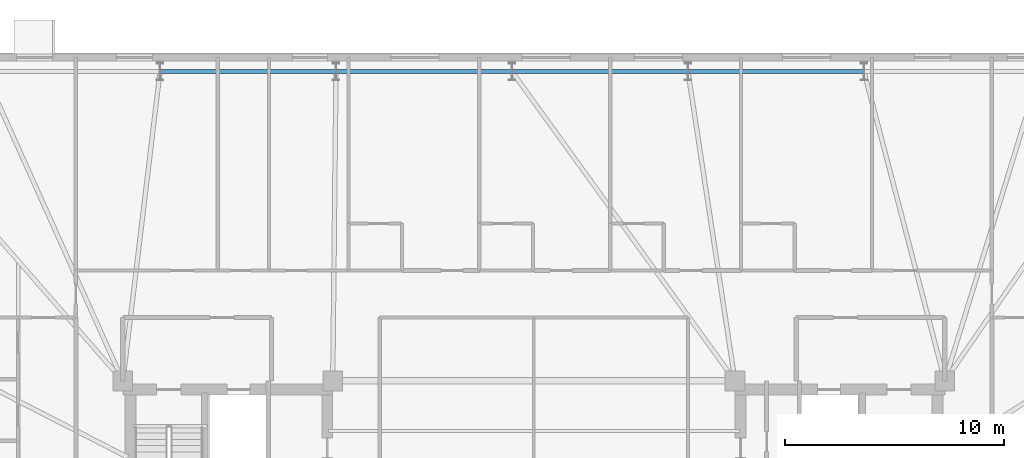
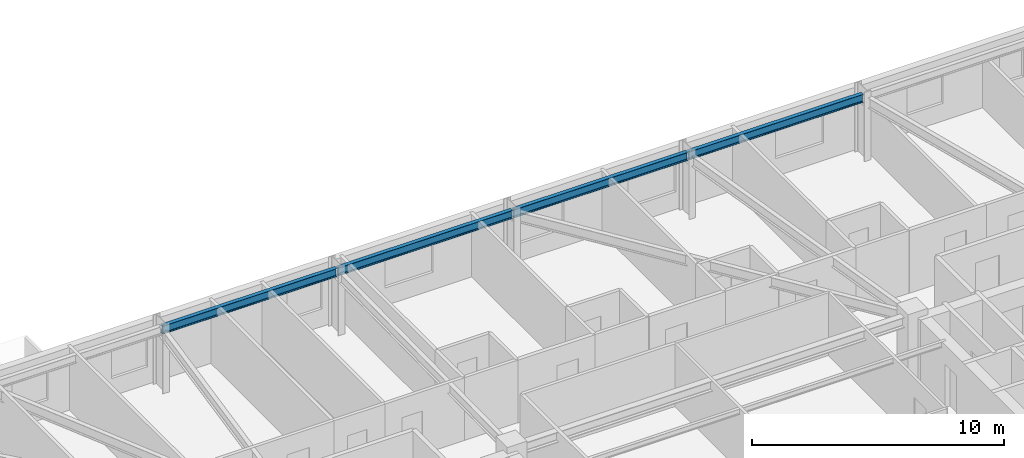
# One storey, part 8 of 18: 4 beams.
"""IFC4 building model written with IfcOpenShell, lengths in metres."""

from ifc_helpers import new_model, si_unit, direction, frame, origin, origin_2d, place, context, subcontext, project, spatial, i_section, extrude, material, material_profile, profile_set, type_object, element, save


model = new_model("IFC4")

# Units and contexts
model_context = context("Model", 3, precision=1e-05, world=origin(), true_north=direction((0.0, 1.0)))
body_context = subcontext(model_context, "Body", "Model", "MODEL_VIEW")
ifc_project = project(units=[si_unit("LENGTHUNIT", "METRE"), si_unit("AREAUNIT", "SQUARE_METRE"), si_unit("VOLUMEUNIT", "CUBIC_METRE"), si_unit("PLANEANGLEUNIT", "RADIAN"), si_unit("MASSUNIT", "GRAM", prefix="KILO")], contexts=[model_context])

# Site, building, storey
site_placement = place(None, origin())
site = spatial("IfcSite", under=ifc_project, at=site_placement, CompositionType="ELEMENT")
building_placement = place(site_placement, origin())
building = spatial("IfcBuilding", under=site, at=building_placement, Name="Qobustan Lattice House", CompositionType="ELEMENT")
storey_placement = place(building_placement, frame((0.0, 0.0, 141.050048828125)))
storey = spatial("IfcBuildingStorey", under=building, at=storey_placement, Name="L39", CompositionType="ELEMENT", Elevation=141.050048828125)

# Beams
ifc_material = material(Name="Steel S355", Category="steel")
ifc_material_profile = material_profile(ifc_material, i_section(OverallWidth=0.179931640625, OverallDepth=0.39990234375, WebThickness=0.008544921875, FlangeThickness=0.013427734375, FilletRadius=0.02099609375, at=origin_2d()), Name="IPE400")
ifc_profile_set = profile_set([ifc_material_profile], Name="Steel S355")
beam_type = type_object("IfcBeamType", Name="BM-SPD-IPE400", PredefinedType="SPANDREL", material=ifc_profile_set)
for number, where, z_axis, x_axis, name in (
    (1, (15.074951171875, 19.75, 2.83984375), (-1.0, 0.0, 0.0), (0.0, -1.0, 0.0), "L39 perimeter spandrel N2-N3"),
    (2, (7.02490234375, 19.75, 2.83984375), (-1.0, 0.0, 0.0), (0.0, -1.0, 0.0), "L39 perimeter spandrel N3-N4"),
    (3, (-1.02490234375, 19.75, 2.83984375), (-1.0, 0.0, 0.0), (0.0, -1.0, 0.0), "L39 perimeter spandrel N4-N5"),
    (4, (-9.074951171875, 19.75, 2.83984375), (-1.0, 0.0, 0.0), (0.0, -1.0, 0.0), "L39 perimeter spandrel N5-N6"),
):
    element("IfcBeam", number, at=place(storey_placement, frame(where, z_axis=z_axis, x_axis=x_axis)), inside=storey, type_object=beam_type, Name=name, PredefinedType="SPANDREL", context=body_context, shape_type="SweptSolid", body=[
        extrude(i_section(OverallWidth=0.179931640625, OverallDepth=0.39990234375, WebThickness=0.008544921875, FlangeThickness=0.013427734375, FilletRadius=0.02099609375, at=origin_2d()), origin(), (0.0, 0.0, 1.0), 8.0),
    ])

save(model, "model.ifc")
